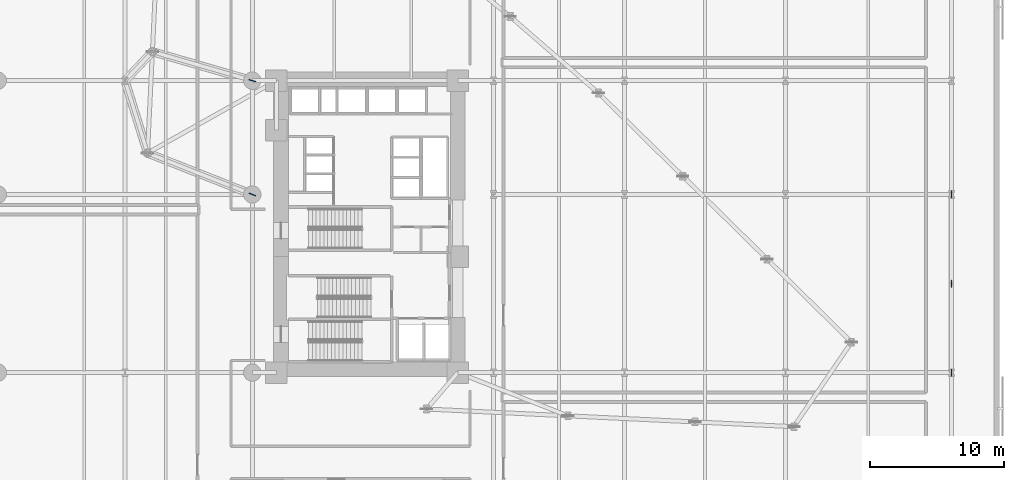
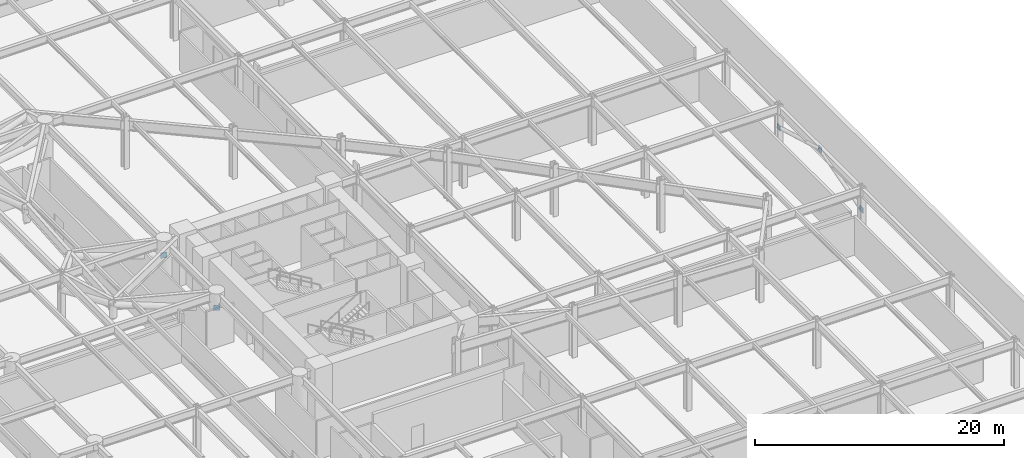
# One storey, part 33 of 40: 5 discrete accessories.
"""IFC4 building model written with IfcOpenShell, lengths in metres."""

from ifc_helpers import new_model, si_unit, direction, frame, origin, origin_2d, place, context, subcontext, project, spatial, rectangle, extrude, material, type_object, element, save


model = new_model("IFC4")

# Units and contexts
model_context = context("Model", 3, precision=1e-05, world=origin(), true_north=direction((0.0, 1.0)))
body_context = subcontext(model_context, "Body", "Model", "MODEL_VIEW")
ifc_project = project(units=[si_unit("LENGTHUNIT", "METRE"), si_unit("AREAUNIT", "SQUARE_METRE"), si_unit("VOLUMEUNIT", "CUBIC_METRE"), si_unit("PLANEANGLEUNIT", "RADIAN"), si_unit("MASSUNIT", "GRAM", prefix="KILO")], contexts=[model_context])

# Site, building, storey
site_placement = place(None, origin())
site = spatial("IfcSite", under=ifc_project, at=site_placement, CompositionType="ELEMENT")
building_placement = place(site_placement, origin())
building = spatial("IfcBuilding", under=site, at=building_placement, Name="Narakoshi Arena Tower", CompositionType="ELEMENT")
storey_placement = place(building_placement, frame((0.0, 0.0, 21.60009765625)))
storey = spatial("IfcBuildingStorey", under=building, at=storey_placement, Name="L05", CompositionType="ELEMENT", Elevation=21.60009765625)

# Discrete accessories
ifc_material = material(Name="Structural steel S460ML", Category="steel")
discrete_accessory_type = type_object("IfcDiscreteAccessoryType", Name="ACC-GUS-PLT", PredefinedType="BRACKET", material=ifc_material)
for number, where, z_axis, x_axis, name in (
    (1, (122.39990234375, 34.699951171875, 2.139892578125), (0.0, 0.0, 1.0), (0.0, 1.0, 0.0), "L05 Brace Node Gusset Plate 0046"),
    (2, (122.39990234375, 41.35009765625, 4.039794921875), (0.0, 0.0, 1.0), (0.0, 1.0, 0.0), "L05 Brace Node Gusset Plate 0047"),
    (3, (122.39990234375, 48.0, 2.139892578125), (0.0, 0.0, 1.0), (0.0, 1.0, 0.0), "L05 Brace Node Gusset Plate 0048"),
    (4, (70.199951171875, 56.5, 2.68994140625), (0.0, 0.0, 1.0), (-0.960585317887, 0.277985336053, 0.0), "L05 Brace Node Gusset Plate 0131"),
    (5, (70.199951171875, 48.0, 2.68994140625), (0.0, 0.0, 1.0), (-0.93009738109, 0.367313029567, 0.0), "L05 Brace Node Gusset Plate 0134"),
):
    element("IfcDiscreteAccessory", number, at=place(storey_placement, frame(where, z_axis=z_axis, x_axis=x_axis)), inside=storey, type_object=discrete_accessory_type, Name=name, PredefinedType="BRACKET", context=body_context, shape_type="SweptSolid", body=[
        extrude(rectangle(XDim=0.52001953125, YDim=0.050048828125, at=origin_2d()), origin(), (0.0, 0.0, 1.0), 0.52001953125),
    ])

save(model, "model.ifc")
